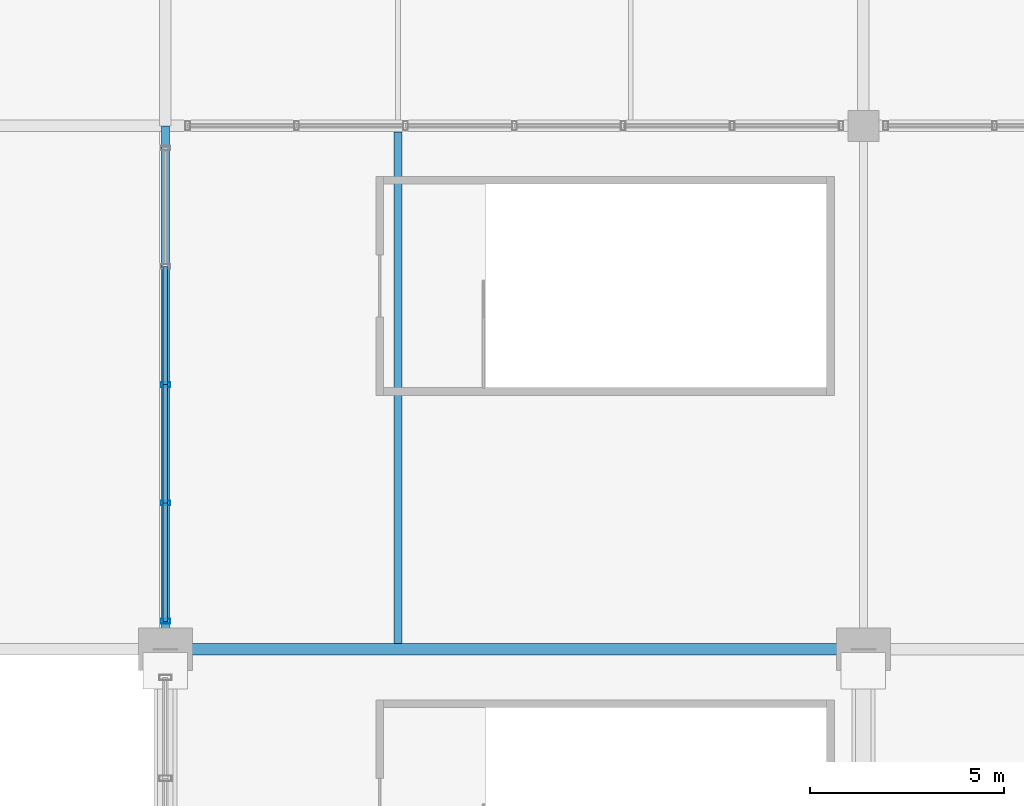
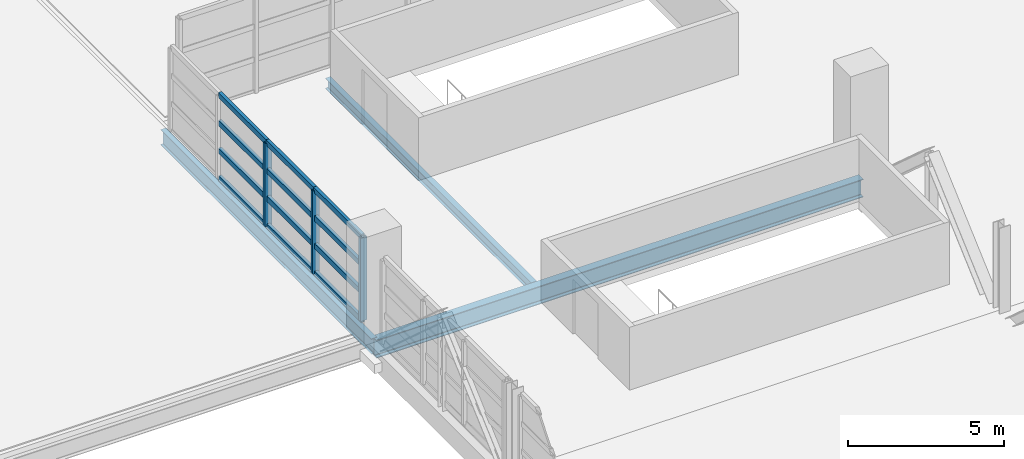
# One storey, part 32 of 136: 15 members, 3 beams, 1 element without a shape of its own.
"""IFC4 building model written with IfcOpenShell, lengths in metres."""

from ifc_helpers import new_model, si_unit, direction, frame, origin, origin_2d, place, context, subcontext, project, spatial, hollow_rectangle, i_section, extrude, material, material_profile, profile_set, type_object, element, aggregate, save


model = new_model("IFC4")

# Units and contexts
model_context = context("Model", 3, precision=1e-05, world=origin(), true_north=direction((0.0, 1.0)))
body_context = subcontext(model_context, "Body", "Model", "MODEL_VIEW")
ifc_project = project(units=[si_unit("LENGTHUNIT", "METRE"), si_unit("AREAUNIT", "SQUARE_METRE"), si_unit("VOLUMEUNIT", "CUBIC_METRE"), si_unit("PLANEANGLEUNIT", "RADIAN"), si_unit("MASSUNIT", "GRAM", prefix="KILO")], contexts=[model_context])

# Site, building, storey
site_placement = place(None, origin())
site = spatial("IfcSite", under=ifc_project, at=site_placement, CompositionType="ELEMENT")
building_placement = place(site_placement, origin())
building = spatial("IfcBuilding", under=site, at=building_placement, Name="Chuanluo Vaults Station", CompositionType="ELEMENT")
storey_placement = place(building_placement, frame((0.0, 0.0, 6.60009765625)))
storey = spatial("IfcBuildingStorey", under=building, at=storey_placement, Name="L01", CompositionType="ELEMENT", Elevation=6.60009765625)

# Beams
ifc_material_1 = material(Name="Steel Q355C", Category="steel")
ifc_material_profile_1 = material_profile(ifc_material_1, i_section(OverallWidth=0.199951171875, OverallDepth=0.60009765625, WebThickness=0.010986328125, FlangeThickness=0.01708984375, FilletRadius=0.01806640625, at=origin_2d()))
ifc_profile_set_1 = profile_set([ifc_material_profile_1], Name="Steel Q355C")
beam_type_1 = type_object("IfcBeamType", Name="BM-GRD-600", PredefinedType="USERDEFINED", material=ifc_profile_set_1)
beam_1_placement = place(storey_placement, frame((18.0, 103.5, -0.580078125), z_axis=(0.0, 1.0, 0.0), x_axis=(-1.0, 0.0, 0.0)))
element("IfcBeam", 1, at=beam_1_placement, inside=storey, type_object=beam_type_1, Name="Floor girder BM:GY:L01:0417", ObjectType="GIRDER", PredefinedType="USERDEFINED", context=body_context, shape_type="SweptSolid", body=[
    extrude(i_section(OverallWidth=0.199951171875, OverallDepth=0.60009765625, WebThickness=0.010986328125, FlangeThickness=0.01708984375, FilletRadius=0.01806640625, at=origin_2d()), origin(), (0.0, 0.0, 1.0), 13.5),
])
ifc_material_2 = material(Name="Steel Q355C", Category="steel")
ifc_material_profile_2 = material_profile(ifc_material_2, i_section(OverallWidth=0.300048828125, OverallDepth=0.699951171875, WebThickness=0.012939453125, FlangeThickness=0.02392578125, FilletRadius=0.02197265625, at=origin_2d()))
ifc_profile_set_2 = profile_set([ifc_material_profile_2], Name="Steel Q355C")
beam_type_2 = type_object("IfcBeamType", Name="BM-GRD-700", PredefinedType="USERDEFINED", material=ifc_profile_set_2)
beam_2_placement = place(storey_placement, frame((18.0, 103.5, -0.630126953125), z_axis=(1.0, 0.0, 0.0), x_axis=(0.0, 1.0, 0.0)))
element("IfcBeam", 2, at=beam_2_placement, inside=storey, type_object=beam_type_2, Name="Floor girder BM:GX:L01:0363", ObjectType="GIRDER", PredefinedType="USERDEFINED", context=body_context, shape_type="SweptSolid", body=[
    extrude(i_section(OverallWidth=0.300048828125, OverallDepth=0.699951171875, WebThickness=0.012939453125, FlangeThickness=0.02392578125, FilletRadius=0.02197265625, at=origin_2d()), origin(), (0.0, 0.0, 1.0), 18.0),
])
ifc_material_3 = material(Name="Steel Q355C", Category="steel")
ifc_material_profile_3 = material_profile(ifc_material_3, i_section(OverallWidth=0.199951171875, OverallDepth=0.39990234375, WebThickness=0.008056640625, FlangeThickness=0.012939453125, FilletRadius=0.01611328125, at=origin_2d()))
ifc_profile_set_3 = profile_set([ifc_material_profile_3], Name="Steel Q355C")
beam_type_3 = type_object("IfcBeamType", Name="BM-SEC-400", PredefinedType="BEAM", material=ifc_profile_set_3)
beam_3_placement = place(storey_placement, frame((24.0, 103.655029296875, -0.47998046875), z_axis=(0.0, 1.0, 0.0), x_axis=(-1.0, 0.0, 0.0)))
element("IfcBeam", 3, at=beam_3_placement, inside=storey, type_object=beam_type_3, Name="Composite secondary joist 0115", PredefinedType="BEAM", context=body_context, shape_type="SweptSolid", body=[
    extrude(i_section(OverallWidth=0.199951171875, OverallDepth=0.39990234375, WebThickness=0.008056640625, FlangeThickness=0.012939453125, FilletRadius=0.01611328125, at=origin_2d()), origin(), (0.0, 0.0, 1.0), 13.18994140625),
])

# Curtain wall, members
ifc_material_4 = material(Name="Anodised aluminium 6063-T6", Category="aluminium")
curtain_wall_type = type_object("IfcCurtainWallType", Name="CW-SYS-03", PredefinedType="NOTDEFINED", material=ifc_material_4)
curtain_wall_placement = place(storey_placement, origin())
curtain_wall = element("IfcCurtainWall", 4, at=curtain_wall_placement, inside=storey, type_object=curtain_wall_type, Name="Over-track west hall CW 103", PredefinedType="NOTDEFINED")
ifc_material_5 = material(Name="Anodised aluminium 6063-T6", Category="aluminium")
ifc_material_profile_4 = material_profile(ifc_material_5, hollow_rectangle(XDim=0.1201171875, YDim=0.25, WallThickness=0.006103515625, at=origin_2d()))
ifc_profile_set_4 = profile_set([ifc_material_profile_4], Name="Anodised aluminium 6063-T6")
member_type_1 = type_object("IfcMemberType", Name="CWM-160", PredefinedType="MULLION", material=ifc_profile_set_4)
member_1_placement = place(storey_placement, frame((18.0, 104.22509765625, 0.0), z_axis=(0.0, 0.0, 1.0), x_axis=(0.0, 1.0, 0.0)))
member_1 = element("IfcMember", 5, at=member_1_placement, type_object=member_type_1, Name="Over-track west hall CW 103 mullion 1", PredefinedType="MULLION", context=body_context, shape_type="SweptSolid", body=[
    extrude(hollow_rectangle(XDim=0.1201171875, YDim=0.25, WallThickness=0.006103515625, at=origin_2d()), origin(), (0.0, 0.0, 1.0), 3.25),
])
member_2_placement = place(storey_placement, frame((18.0, 107.27490234375, 0.0), z_axis=(0.0, 0.0, 1.0), x_axis=(0.0, 1.0, 0.0)))
member_2 = element("IfcMember", 6, at=member_2_placement, type_object=member_type_1, Name="Over-track west hall CW 103 mullion 2", PredefinedType="MULLION", context=body_context, shape_type="SweptSolid", body=[
    extrude(hollow_rectangle(XDim=0.1201171875, YDim=0.25, WallThickness=0.006103515625, at=origin_2d()), origin(), (0.0, 0.0, 1.0), 3.25),
])
member_3_placement = place(storey_placement, frame((18.0, 110.324951171875, 0.0), z_axis=(0.0, 0.0, 1.0), x_axis=(0.0, 1.0, 0.0)))
member_3 = element("IfcMember", 7, at=member_3_placement, type_object=member_type_1, Name="Over-track west hall CW 103 mullion 3", PredefinedType="MULLION", context=body_context, shape_type="SweptSolid", body=[
    extrude(hollow_rectangle(XDim=0.1201171875, YDim=0.25, WallThickness=0.006103515625, at=origin_2d()), origin(), (0.0, 0.0, 1.0), 3.25),
])
ifc_material_6 = material(Name="Anodised aluminium 6063-T6", Category="aluminium")
ifc_material_profile_5 = material_profile(ifc_material_6, hollow_rectangle(XDim=0.1201171875, YDim=0.205078125, WallThickness=0.006103515625, at=origin_2d()))
ifc_profile_set_5 = profile_set([ifc_material_profile_5], Name="Anodised aluminium 6063-T6")
member_type_2 = type_object("IfcMemberType", Name="CWT-130", PredefinedType="USERDEFINED", material=ifc_profile_set_5)
member_4_placement = place(storey_placement, frame((18.0, 104.22509765625, 0.0), z_axis=(0.0, 1.0, 0.0), x_axis=(-1.0, 0.0, 0.0)))
member_4 = element("IfcMember", 8, at=member_4_placement, type_object=member_type_2, Name="Over-track west hall CW 103 transom 1.1", ObjectType="TRANSOM", PredefinedType="USERDEFINED", context=body_context, shape_type="SweptSolid", body=[
    extrude(hollow_rectangle(XDim=0.1201171875, YDim=0.205078125, WallThickness=0.006103515625, at=origin_2d()), origin(), (0.0, 0.0, 1.0), 3.0498046875),
])
member_5_placement = place(storey_placement, frame((18.0, 104.22509765625, 1.083251953125), z_axis=(0.0, 1.0, 0.0), x_axis=(-1.0, 0.0, 0.0)))
member_5 = element("IfcMember", 9, at=member_5_placement, type_object=member_type_2, Name="Over-track west hall CW 103 transom 1.2", ObjectType="TRANSOM", PredefinedType="USERDEFINED", context=body_context, shape_type="SweptSolid", body=[
    extrude(hollow_rectangle(XDim=0.1201171875, YDim=0.205078125, WallThickness=0.006103515625, at=origin_2d()), origin(), (0.0, 0.0, 1.0), 3.0498046875),
])
member_6_placement = place(storey_placement, frame((18.0, 104.22509765625, 2.16650390625), z_axis=(0.0, 1.0, 0.0), x_axis=(-1.0, 0.0, 0.0)))
member_6 = element("IfcMember", 10, at=member_6_placement, type_object=member_type_2, Name="Over-track west hall CW 103 transom 1.3", ObjectType="TRANSOM", PredefinedType="USERDEFINED", context=body_context, shape_type="SweptSolid", body=[
    extrude(hollow_rectangle(XDim=0.1201171875, YDim=0.205078125, WallThickness=0.006103515625, at=origin_2d()), origin(), (0.0, 0.0, 1.0), 3.0498046875),
])
member_7_placement = place(storey_placement, frame((18.0, 104.22509765625, 3.25), z_axis=(0.0, 1.0, 0.0), x_axis=(-1.0, 0.0, 0.0)))
member_7 = element("IfcMember", 11, at=member_7_placement, type_object=member_type_2, Name="Over-track west hall CW 103 transom 1.4", ObjectType="TRANSOM", PredefinedType="USERDEFINED", context=body_context, shape_type="SweptSolid", body=[
    extrude(hollow_rectangle(XDim=0.1201171875, YDim=0.205078125, WallThickness=0.006103515625, at=origin_2d()), origin(), (0.0, 0.0, 1.0), 3.0498046875),
])
member_8_placement = place(storey_placement, frame((18.0, 107.27490234375, 0.0), z_axis=(0.0, 1.0, 0.0), x_axis=(-1.0, 0.0, 0.0)))
member_8 = element("IfcMember", 12, at=member_8_placement, type_object=member_type_2, Name="Over-track west hall CW 103 transom 2.1", ObjectType="TRANSOM", PredefinedType="USERDEFINED", context=body_context, shape_type="SweptSolid", body=[
    extrude(hollow_rectangle(XDim=0.1201171875, YDim=0.205078125, WallThickness=0.006103515625, at=origin_2d()), origin(), (0.0, 0.0, 1.0), 3.050048828125),
])
member_9_placement = place(storey_placement, frame((18.0, 107.27490234375, 1.083251953125), z_axis=(0.0, 1.0, 0.0), x_axis=(-1.0, 0.0, 0.0)))
member_9 = element("IfcMember", 13, at=member_9_placement, type_object=member_type_2, Name="Over-track west hall CW 103 transom 2.2", ObjectType="TRANSOM", PredefinedType="USERDEFINED", context=body_context, shape_type="SweptSolid", body=[
    extrude(hollow_rectangle(XDim=0.1201171875, YDim=0.205078125, WallThickness=0.006103515625, at=origin_2d()), origin(), (0.0, 0.0, 1.0), 3.050048828125),
])
member_10_placement = place(storey_placement, frame((18.0, 107.27490234375, 2.16650390625), z_axis=(0.0, 1.0, 0.0), x_axis=(-1.0, 0.0, 0.0)))
member_10 = element("IfcMember", 14, at=member_10_placement, type_object=member_type_2, Name="Over-track west hall CW 103 transom 2.3", ObjectType="TRANSOM", PredefinedType="USERDEFINED", context=body_context, shape_type="SweptSolid", body=[
    extrude(hollow_rectangle(XDim=0.1201171875, YDim=0.205078125, WallThickness=0.006103515625, at=origin_2d()), origin(), (0.0, 0.0, 1.0), 3.050048828125),
])
member_11_placement = place(storey_placement, frame((18.0, 107.27490234375, 3.25), z_axis=(0.0, 1.0, 0.0), x_axis=(-1.0, 0.0, 0.0)))
member_11 = element("IfcMember", 15, at=member_11_placement, type_object=member_type_2, Name="Over-track west hall CW 103 transom 2.4", ObjectType="TRANSOM", PredefinedType="USERDEFINED", context=body_context, shape_type="SweptSolid", body=[
    extrude(hollow_rectangle(XDim=0.1201171875, YDim=0.205078125, WallThickness=0.006103515625, at=origin_2d()), origin(), (0.0, 0.0, 1.0), 3.050048828125),
])
member_12_placement = place(storey_placement, frame((18.0, 110.324951171875, 0.0), z_axis=(0.0, 1.0, 0.0), x_axis=(-1.0, 0.0, 0.0)))
member_12 = element("IfcMember", 16, at=member_12_placement, type_object=member_type_2, Name="Over-track west hall CW 103 transom 3.1", ObjectType="TRANSOM", PredefinedType="USERDEFINED", context=body_context, shape_type="SweptSolid", body=[
    extrude(hollow_rectangle(XDim=0.1201171875, YDim=0.205078125, WallThickness=0.006103515625, at=origin_2d()), origin(), (0.0, 0.0, 1.0), 3.050048828125),
])
member_13_placement = place(storey_placement, frame((18.0, 110.324951171875, 1.083251953125), z_axis=(0.0, 1.0, 0.0), x_axis=(-1.0, 0.0, 0.0)))
member_13 = element("IfcMember", 17, at=member_13_placement, type_object=member_type_2, Name="Over-track west hall CW 103 transom 3.2", ObjectType="TRANSOM", PredefinedType="USERDEFINED", context=body_context, shape_type="SweptSolid", body=[
    extrude(hollow_rectangle(XDim=0.1201171875, YDim=0.205078125, WallThickness=0.006103515625, at=origin_2d()), origin(), (0.0, 0.0, 1.0), 3.050048828125),
])
member_14_placement = place(storey_placement, frame((18.0, 110.324951171875, 2.16650390625), z_axis=(0.0, 1.0, 0.0), x_axis=(-1.0, 0.0, 0.0)))
member_14 = element("IfcMember", 18, at=member_14_placement, type_object=member_type_2, Name="Over-track west hall CW 103 transom 3.3", ObjectType="TRANSOM", PredefinedType="USERDEFINED", context=body_context, shape_type="SweptSolid", body=[
    extrude(hollow_rectangle(XDim=0.1201171875, YDim=0.205078125, WallThickness=0.006103515625, at=origin_2d()), origin(), (0.0, 0.0, 1.0), 3.050048828125),
])
member_15_placement = place(storey_placement, frame((18.0, 110.324951171875, 3.25), z_axis=(0.0, 1.0, 0.0), x_axis=(-1.0, 0.0, 0.0)))
member_15 = element("IfcMember", 19, at=member_15_placement, type_object=member_type_2, Name="Over-track west hall CW 103 transom 3.4", ObjectType="TRANSOM", PredefinedType="USERDEFINED", context=body_context, shape_type="SweptSolid", body=[
    extrude(hollow_rectangle(XDim=0.1201171875, YDim=0.205078125, WallThickness=0.006103515625, at=origin_2d()), origin(), (0.0, 0.0, 1.0), 3.050048828125),
])
aggregate(curtain_wall, [member_1, member_2, member_3, member_4, member_5, member_6, member_7, member_8, member_9, member_10, member_11, member_12, member_13, member_14, member_15])

save(model, "model.ifc")
